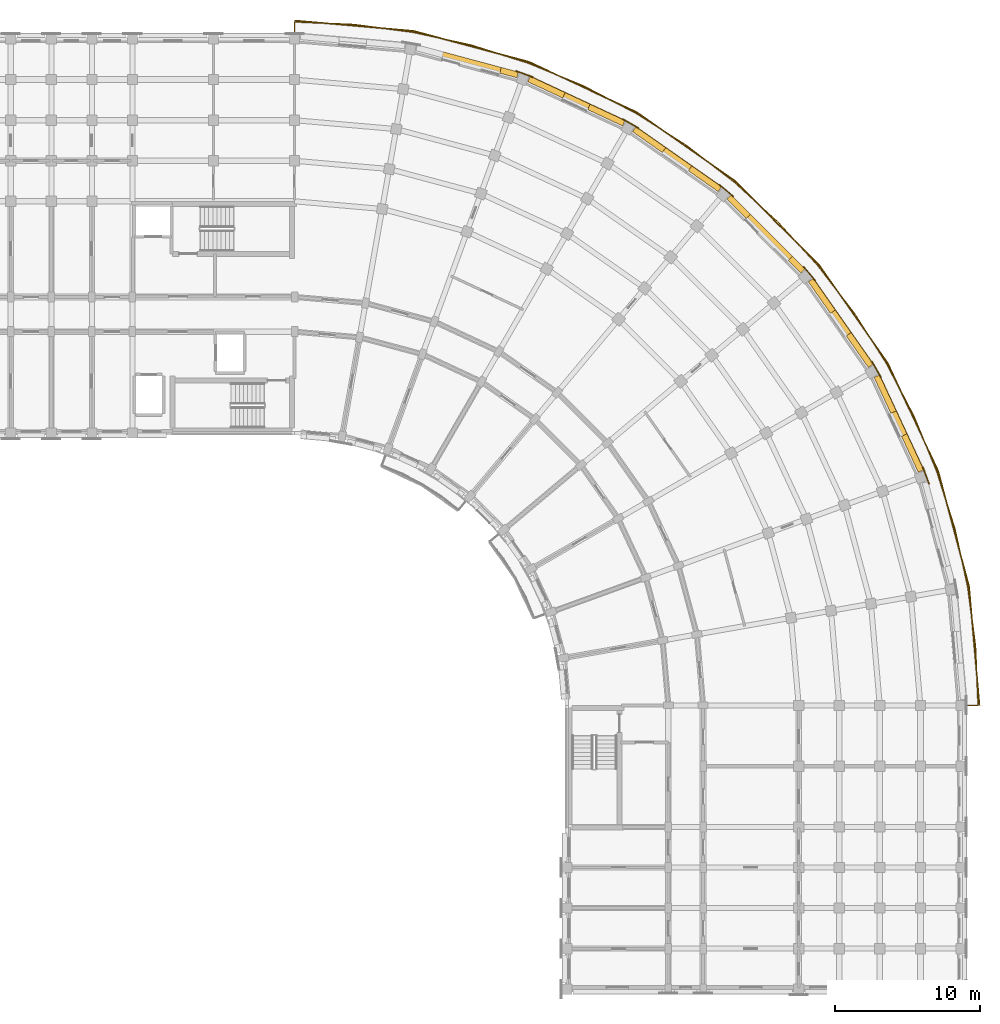
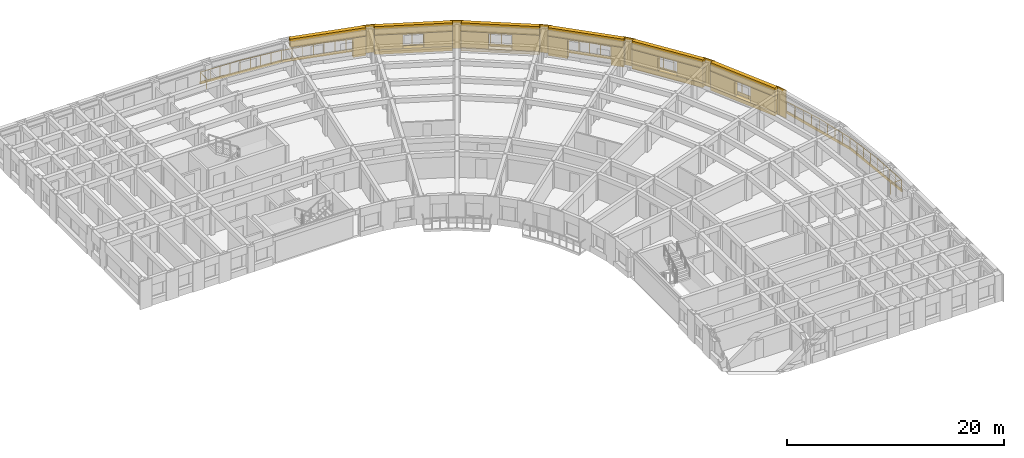
# One storey, part 57 of 57: 28 coverings, 1 railing.
"""IFC4 building model written with IfcOpenShell, lengths in metres."""

import ifcopenshell
import ifcopenshell.guid

model = None  # the IFC model being written
_history = None  # IfcOwnerHistory: only IFC2X3 demands one
_inside = {}  # id of a spatial element -> (the spatial element, [elements in it])
_under = {}  # id of a project, library or spatial element -> (it, [spatial elements below it])
_declared = {}  # id of a project -> (the project, [libraries it declares])
_typed = {}  # id of a type object -> (the type object, [elements of that type])
_made_of = {}  # id of a material, layer set ... -> (it, [elements and type objects made of it])


def new_model(schema):
    """Start an empty IFC model of exactly this schema.

    Asked for "IFC4X3", IfcOpenShell would pick the latest addendum, in which some entities
    have other attributes; the version numbers below select the first issue.
    IFC2X3 requires an IfcOwnerHistory on every rooted entity: one is made here for all.
    """
    global model, _history
    if schema == "IFC4X3":
        model = ifcopenshell.file(schema_version=(4, 3, 0, 0))
    else:
        model = ifcopenshell.file(schema=schema)
    _inside.clear()
    _under.clear()
    _declared.clear()
    _typed.clear()
    _made_of.clear()
    _history = None
    if model.schema == "IFC2X3":
        org = make("IfcOrganization", Name="unknown")
        user = make(
            "IfcPersonAndOrganization",
            ThePerson=make("IfcPerson", FamilyName="unknown"),
            TheOrganization=org,
        )
        app = make(
            "IfcApplication",
            ApplicationDeveloper=org,
            Version="unknown",
            ApplicationFullName="unknown",
            ApplicationIdentifier="unknown",
        )
        _history = make(
            "IfcOwnerHistory",
            OwningUser=user,
            OwningApplication=app,
            ChangeAction="ADDED",
            CreationDate=0,
        )
    return model


def make(cls, **values):
    """One entity of the class cls with the attributes given. An attribute that is None is left unset."""
    return model.create_entity(
        cls, **{name: value for name, value in values.items() if value is not None}
    )


def rooted(cls, **values):
    """An entity with a GlobalId (a new one), such as an element, a storey or a relation."""
    return make(cls, GlobalId=ifcopenshell.guid.new(), OwnerHistory=_history, **values)


def si_unit(unit_type, name, prefix=None):
    """IfcSIUnit, for example si_unit("LENGTHUNIT", "METRE", prefix="MILLI")."""
    return make("IfcSIUnit", UnitType=unit_type, Prefix=prefix, Name=name)


def assignment(units):
    """IfcUnitAssignment: the units of a project."""
    return None if units is None else make("IfcUnitAssignment", Units=units)


def point(xyz):
    """IfcCartesianPoint."""
    return None if xyz is None else make("IfcCartesianPoint", Coordinates=xyz)


def direction(xyz):
    """IfcDirection."""
    return None if xyz is None else make("IfcDirection", DirectionRatios=xyz)


def frame(location, z_axis=None, x_axis=None):
    """IfcAxis2Placement3D, a coordinate frame: its origin and axes. An axis left out is left unset."""
    return make(
        "IfcAxis2Placement3D",
        Location=point(location),
        Axis=direction(z_axis),
        RefDirection=direction(x_axis),
    )


def frame_2d(location, x_axis=None):
    """IfcAxis2Placement2D, a coordinate frame in the plane: its origin and x axis."""
    return make(
        "IfcAxis2Placement2D", Location=point(location), RefDirection=direction(x_axis)
    )


def origin():
    """The frame at (0, 0, 0) with its axes left unset."""
    return frame((0.0, 0.0, 0.0))


def origin_2d():
    """The frame at (0, 0) in the plane with its x axis left unset."""
    return frame_2d((0.0, 0.0))


def place(relative_to, where):
    """IfcLocalPlacement: puts the frame where relative to a parent placement (None: the world)."""
    return make(
        "IfcLocalPlacement", PlacementRelTo=relative_to, RelativePlacement=where
    )


def context(
    kind, dimensions, precision=None, world=None, true_north=None, identifier=None
):
    """IfcGeometricRepresentationContext, for example the 3D "Model" context."""
    return make(
        "IfcGeometricRepresentationContext",
        ContextIdentifier=identifier,
        ContextType=kind,
        CoordinateSpaceDimension=dimensions,
        Precision=precision,
        WorldCoordinateSystem=world,
        TrueNorth=true_north,
    )


def subcontext(parent, identifier, kind, view, scale=None):
    """IfcGeometricRepresentationSubContext, for example "Body" below "Model"."""
    return make(
        "IfcGeometricRepresentationSubContext",
        ContextIdentifier=identifier,
        ContextType=kind,
        ParentContext=parent,
        TargetScale=scale,
        TargetView=view,
    )


def project(units=None, contexts=None):
    """IfcProject with its units and contexts."""
    return rooted(
        "IfcProject",
        Name="project",
        RepresentationContexts=contexts,
        UnitsInContext=assignment(units),
    )


def spatial(cls, under=None, at=None, **own):
    """A site, building, storey or space (cls), placed at a placement, below another one or the project."""
    s = rooted(cls, ObjectPlacement=at, **own)
    if under is not None:
        _under.setdefault(under.id(), (under, []))[1].append(s)
    return s


def polyline(points):
    """IfcPolyline through the points."""
    return make("IfcPolyline", Points=[point(p) for p in points])


def profile(cls, at=None, kind="AREA", **sizes):
    """A parametric profile (cls). Its sizes go by their IFC names, for example OverallWidth=200.0."""
    return make(cls, ProfileType=kind, Position=at, **sizes)


def circle(**sizes):
    """IfcCircleProfileDef."""
    return profile("IfcCircleProfileDef", **sizes)


def outline(outer, holes=None, kind="AREA"):
    """IfcArbitraryClosedProfileDef: a profile drawn as a closed curve; with holes, ...WithVoids."""
    if holes is None:
        return make("IfcArbitraryClosedProfileDef", ProfileType=kind, OuterCurve=outer)
    return make(
        "IfcArbitraryProfileDefWithVoids",
        ProfileType=kind,
        OuterCurve=outer,
        InnerCurves=holes,
    )


def extrude(swept, where, along, depth):
    """IfcExtrudedAreaSolid: the profile swept, set in the frame where, extruded along a direction by depth."""
    return make(
        "IfcExtrudedAreaSolid",
        SweptArea=swept,
        Position=where,
        ExtrudedDirection=direction(along),
        Depth=depth,
    )


def shape(context_of_items, identifier, shape_type, items):
    """IfcShapeRepresentation: the items that make up one representation, for example the "Body"."""
    return make(
        "IfcShapeRepresentation",
        ContextOfItems=context_of_items,
        RepresentationIdentifier=identifier,
        RepresentationType=shape_type,
        Items=items,
    )


def material(Name=None, Category=None):
    """IfcMaterial."""
    return make("IfcMaterial", Name=Name, Category=Category)


def layer(
    of_material, thickness, ventilated=None, Name=None, Category=None, Priority=None
):
    """IfcMaterialLayer: one layer of a wall or slab, of a material (None: an air gap)."""
    return make(
        "IfcMaterialLayer",
        Material=of_material,
        LayerThickness=thickness,
        IsVentilated=ventilated,
        Name=Name,
        Category=Category,
        Priority=Priority,
    )


def layer_set(layers, Name=None):
    """IfcMaterialLayerSet."""
    return make("IfcMaterialLayerSet", MaterialLayers=layers, LayerSetName=Name)


def made_of(thing, what):
    """Note that an element or type object is made of a material, layer set ...; save() writes the relation."""
    if what is not None:
        _made_of.setdefault(what.id(), (what, []))[1].append(thing)
    return thing


def type_object(cls, material=None, **own):
    """A type object (cls), such as IfcWallType, which elements share."""
    return made_of(rooted(cls, **own), material)


def element(
    cls,
    number,
    at=None,
    inside=None,
    cuts=None,
    type_object=None,
    material=None,
    context=None,
    identifier="Body",
    shape_type=None,
    held_by="IfcProductDefinitionShape",
    body=None,
    shapes=None,
    **own,
):
    """One element of the class cls, such as IfcWall. Its Tag is "e" and its number.

    at: its placement. inside: the storey or other place that contains it. cuts: it is an
    opening in that element (IfcRelVoidsElement). A single representation is given by context,
    identifier, shape_type and body (its items); several are given by shapes. held_by: the class
    of the entity that holds the representations. save() writes the other relations.
    """
    e = rooted(cls, Tag="e%d" % number, ObjectPlacement=at, **own)
    if body is not None:
        shapes = [shape(context, identifier, shape_type, body)]
    if shapes is not None:
        e.Representation = make(held_by, Representations=shapes)
    if inside is not None:
        _inside.setdefault(inside.id(), (inside, []))[1].append(e)
    if cuts is not None:
        rooted(
            "IfcRelVoidsElement", RelatingBuildingElement=cuts, RelatedOpeningElement=e
        )
    if type_object is not None:
        _typed.setdefault(type_object.id(), (type_object, []))[1].append(e)
    return made_of(e, material)


def aggregate(whole, parts):
    """IfcRelAggregates: a whole, such as a stair, and the parts it consists of."""
    return rooted("IfcRelAggregates", RelatingObject=whole, RelatedObjects=parts)


def save(model, path):
    """Write the relations noted so far, then the file.

    IfcRelAggregates (storeys below a building ...), IfcRelContainedInSpatialStructure (elements
    in a storey), IfcRelDefinesByType, IfcRelAssociatesMaterial and IfcRelDeclares: one each for
    every whole, place, type object, material and project.
    """
    for whole, parts in _under.values():
        aggregate(whole, parts)
    for where, things in _inside.values():
        rooted(
            "IfcRelContainedInSpatialStructure",
            RelatedElements=things,
            RelatingStructure=where,
        )
    for kind, things in _typed.values():
        rooted("IfcRelDefinesByType", RelatedObjects=things, RelatingType=kind)
    for what, things in _made_of.values():
        rooted("IfcRelAssociatesMaterial", RelatedObjects=things, RelatingMaterial=what)
    for by, libraries in _declared.values():
        rooted("IfcRelDeclares", RelatingContext=by, RelatedDefinitions=libraries)
    model.write(path)


model = new_model("IFC4")

# Units and contexts
model_context = context("Model", 3, precision=1e-05, world=origin(), true_north=direction((0.0, 1.0)))
body_context = subcontext(model_context, "Body", "Model", "MODEL_VIEW")
ifc_project = project(units=[si_unit("LENGTHUNIT", "METRE"), si_unit("AREAUNIT", "SQUARE_METRE"), si_unit("VOLUMEUNIT", "CUBIC_METRE"), si_unit("PLANEANGLEUNIT", "RADIAN"), si_unit("MASSUNIT", "GRAM", prefix="KILO")], contexts=[model_context])

# Site, building, storey
site_placement = place(None, origin())
site = spatial("IfcSite", under=ifc_project, at=site_placement, CompositionType="ELEMENT")
building_placement = place(site_placement, origin())
building = spatial("IfcBuilding", under=site, at=building_placement, Name="Kiranvali Square Residences", CompositionType="ELEMENT")
storey_placement = place(building_placement, frame((0.0, 0.0, 24.449951171875)))
storey = spatial("IfcBuildingStorey", under=building, at=storey_placement, Name="L07", CompositionType="ELEMENT", Elevation=24.449951171875)

# Coverings
ifc_material_1 = material(Name="Carved Porbandar limestone classical entablature and cornice", Category="masonry")
ifc_layer_1 = layer(ifc_material_1, 0.072021484375)
ifc_layer_set_1 = layer_set([ifc_layer_1], Name="Carved Porbandar limestone classical entablature and cornice")
covering_type_1 = type_object("IfcCoveringType", Name="COV-CLAD-BAL", PredefinedType="CLADDING", material=ifc_layer_set_1)
covering_1_placement = place(storey_placement, frame((0.0, 0.0, -0.239990234375)))
element("IfcCovering", 1, at=covering_1_placement, inside=storey, type_object=covering_type_1, Name="Block B L07 continuous curved limestone balcony fascia", PredefinedType="CLADDING", context=body_context, shape_type="SweptSolid", body=[
    extrude(outline(polyline([(119.800048828125, 135.052001953125), (128.005126953125, 134.334228515625), (135.961181640625, 132.202392578125), (143.426025390625, 128.721435546875), (150.173095703125, 123.9970703125), (155.9970703125, 118.173095703125), (160.721435546875, 111.426025390625), (164.202392578125, 103.961181640625), (166.334228515625, 96.005126953125), (167.052001953125, 87.800048828125), (167.117919921875, 87.800048828125), (166.399169921875, 96.0166015625), (164.264404296875, 103.983642578125), (160.778564453125, 111.458984375), (156.047607421875, 118.21533203125), (150.21533203125, 124.047607421875), (143.458984375, 128.778564453125), (135.983642578125, 132.264404296875), (128.0166015625, 134.399169921875), (119.800048828125, 135.117919921875), (119.800048828125, 135.052001953125)])), origin(), (0.0, 0.0, 1.0), 0.300048828125),
])
ifc_material_2 = material(Name="Honed Porbandar limestone ashlar facade cladding", Category="masonry")
ifc_layer_2 = layer(ifc_material_2, 0.3798828125)
ifc_layer_set_2 = layer_set([ifc_layer_2], Name="Honed Porbandar limestone ashlar facade cladding")
covering_type_2 = type_object("IfcCoveringType", Name="COV-CLAD-JAMB", PredefinedType="CLADDING", material=ifc_layer_set_2)
covering_2_placement = place(storey_placement, origin())
element("IfcCovering", 2, at=covering_2_placement, inside=storey, type_object=covering_type_2, Name="L07 deep limestone window jamb reveal B-L07-CRV-01.R", PredefinedType="CLADDING", context=body_context, shape_type="SweptSolid", body=[
    extrude(outline(polyline([(133.961669921875, 131.447265625), (135.146728515625, 131.1298828125), (135.252685546875, 131.525390625), (134.067626953125, 131.843017578125), (133.961669921875, 131.447265625)])), origin(), (0.0, 0.0, 1.0), 2.179931640625),
])
covering_3_placement = place(storey_placement, frame((0.0, 0.0, 0.52197265625)))
element("IfcCovering", 3, at=covering_3_placement, inside=storey, type_object=covering_type_2, Name="L07 deep limestone window jamb reveal B-L07-CRV-02.L", PredefinedType="CLADDING", context=body_context, shape_type="SweptSolid", body=[
    extrude(outline(polyline([(135.895751953125, 130.857177734375), (138.3056640625, 129.7333984375), (138.478759765625, 130.1044921875), (136.068603515625, 131.228515625), (135.895751953125, 130.857177734375)])), origin(), (0.0, 0.0, 1.0), 1.650146484375),
])
covering_4_placement = place(storey_placement, frame((0.0, 0.0, 0.52197265625)))
element("IfcCovering", 4, at=covering_4_placement, inside=storey, type_object=covering_type_2, Name="L07 deep limestone window jamb reveal B-L07-CRV-02.R", PredefinedType="CLADDING", context=body_context, shape_type="SweptSolid", body=[
    extrude(outline(polyline([(140.027587890625, 128.930419921875), (142.437744140625, 127.806640625), (142.61083984375, 128.177734375), (140.20068359375, 129.301513671875), (140.027587890625, 128.930419921875)])), origin(), (0.0, 0.0, 1.0), 1.650146484375),
])
covering_5_placement = place(storey_placement, frame((0.0, 0.0, 0.3720703125)))
element("IfcCovering", 5, at=covering_5_placement, inside=storey, type_object=covering_type_2, Name="L07 deep limestone window jamb reveal B-L07-CRV-03.L", PredefinedType="CLADDING", context=body_context, shape_type="SweptSolid", body=[
    extrude(outline(polyline([(143.1279296875, 127.408203125), (145.183349609375, 125.968994140625), (145.418212890625, 126.304443359375), (143.36279296875, 127.74365234375), (143.1279296875, 127.408203125)])), origin(), (0.0, 0.0, 1.0), 1.800048828125),
])
covering_6_placement = place(storey_placement, frame((0.0, 0.0, 0.3720703125)))
element("IfcCovering", 6, at=covering_6_placement, inside=storey, type_object=covering_type_2, Name="L07 deep limestone window jamb reveal B-L07-CRV-03.R", PredefinedType="CLADDING", context=body_context, shape_type="SweptSolid", body=[
    extrude(outline(polyline([(146.9853515625, 124.70703125), (149.040771484375, 123.267822265625), (149.275634765625, 123.603271484375), (147.220458984375, 125.04248046875), (146.9853515625, 124.70703125)])), origin(), (0.0, 0.0, 1.0), 1.800048828125),
])
covering_7_placement = place(storey_placement, origin())
element("IfcCovering", 7, at=covering_7_placement, inside=storey, type_object=covering_type_2, Name="L07 deep limestone window jamb reveal B-L07-CRV-04.L", PredefinedType="CLADDING", context=body_context, shape_type="SweptSolid", body=[
    extrude(outline(polyline([(149.6513671875, 122.755615234375), (150.978271484375, 121.4287109375), (151.267822265625, 121.71826171875), (149.94091796875, 123.045166015625), (149.6513671875, 122.755615234375)])), origin(), (0.0, 0.0, 1.0), 2.179931640625),
])
covering_8_placement = place(storey_placement, origin())
element("IfcCovering", 8, at=covering_8_placement, inside=storey, type_object=covering_type_2, Name="L07 deep limestone window jamb reveal B-L07-CRV-04.R", PredefinedType="CLADDING", context=body_context, shape_type="SweptSolid", body=[
    extrude(outline(polyline([(153.88818359375, 118.518798828125), (154.755615234375, 117.6513671875), (155.045166015625, 117.94091796875), (154.177734375, 118.808349609375), (153.88818359375, 118.518798828125)])), origin(), (0.0, 0.0, 1.0), 2.179931640625),
])
covering_9_placement = place(storey_placement, frame((0.0, 0.0, 0.52197265625)))
element("IfcCovering", 9, at=covering_9_placement, inside=storey, type_object=covering_type_2, Name="L07 deep limestone window jamb reveal B-L07-CRV-05.L", PredefinedType="CLADDING", context=body_context, shape_type="SweptSolid", body=[
    extrude(outline(polyline([(155.267822265625, 117.040771484375), (156.793212890625, 114.862548828125), (157.128662109375, 115.097412109375), (155.603271484375, 117.275634765625), (155.267822265625, 117.040771484375)])), origin(), (0.0, 0.0, 1.0), 1.650146484375),
])
covering_10_placement = place(storey_placement, frame((0.0, 0.0, 0.52197265625)))
element("IfcCovering", 10, at=covering_10_placement, inside=storey, type_object=covering_type_2, Name="L07 deep limestone window jamb reveal B-L07-CRV-05.R", PredefinedType="CLADDING", context=body_context, shape_type="SweptSolid", body=[
    extrude(outline(polyline([(157.8828125, 113.30615234375), (159.408203125, 111.1279296875), (159.74365234375, 111.36279296875), (158.21826171875, 113.541015625), (157.8828125, 113.30615234375)])), origin(), (0.0, 0.0, 1.0), 1.650146484375),
])
covering_11_placement = place(storey_placement, frame((0.0, 0.0, 0.422119140625)))
element("IfcCovering", 11, at=covering_11_placement, inside=storey, type_object=covering_type_2, Name="L07 deep limestone window jamb reveal B-L07-CRV-06.L", PredefinedType="CLADDING", context=body_context, shape_type="SweptSolid", body=[
    extrude(outline(polyline([(159.806640625, 110.437744140625), (160.962158203125, 107.959716796875), (161.333251953125, 108.1328125), (160.177734375, 110.61083984375), (159.806640625, 110.437744140625)])), origin(), (0.0, 0.0, 1.0), 1.75),
])
covering_12_placement = place(storey_placement, frame((0.0, 0.0, 0.422119140625)))
element("IfcCovering", 12, at=covering_12_placement, inside=storey, type_object=covering_type_2, Name="L07 deep limestone window jamb reveal B-L07-CRV-06.R", PredefinedType="CLADDING", context=body_context, shape_type="SweptSolid", body=[
    extrude(outline(polyline([(161.70166015625, 106.373779296875), (162.857177734375, 103.895751953125), (163.228515625, 104.068603515625), (162.072998046875, 106.546630859375), (161.70166015625, 106.373779296875)])), origin(), (0.0, 0.0, 1.0), 1.75),
])
ifc_layer_3 = layer(ifc_material_2, 0.06494140625)
ifc_layer_set_3 = layer_set([ifc_layer_3], Name="Honed Porbandar limestone ashlar facade cladding")
covering_type_3 = type_object("IfcCoveringType", Name="COV-CLAD-PIER", PredefinedType="CLADDING", material=ifc_layer_set_3)
covering_13_placement = place(storey_placement, frame((0.0, 0.0, 0.005126953125)))
element("IfcCovering", 13, at=covering_13_placement, inside=storey, type_object=covering_type_3, Name="L07 Classical limestone corner pilaster CLAD-PR-B-L07-A02", PredefinedType="CLADDING", context=body_context, shape_type="SweptSolid", body=[
    extrude(outline(polyline([(136.267822265625, 131.203125), (135.083984375, 131.634033203125), (135.060791015625, 131.57080078125), (136.244873046875, 131.1396484375), (136.267822265625, 131.203125)])), origin(), (0.0, 0.0, 1.0), 3.139892578125),
])
covering_14_placement = place(storey_placement, frame((0.0, 0.0, 0.005126953125)))
element("IfcCovering", 14, at=covering_14_placement, inside=storey, type_object=covering_type_3, Name="L07 Classical limestone corner pilaster CLAD-PR-B-L07-A03", PredefinedType="CLADDING", context=body_context, shape_type="SweptSolid", body=[
    extrude(outline(polyline([(143.5546875, 127.68408203125), (142.46337890625, 128.314208984375), (142.4296875, 128.255615234375), (143.520751953125, 127.625732421875), (143.5546875, 127.68408203125)])), origin(), (0.0, 0.0, 1.0), 3.139892578125),
])
covering_15_placement = place(storey_placement, frame((0.0, 0.0, 0.005126953125)))
element("IfcCovering", 15, at=covering_15_placement, inside=storey, type_object=covering_type_3, Name="L07 Classical limestone corner pilaster CLAD-PR-B-L07-A04", PredefinedType="CLADDING", context=body_context, shape_type="SweptSolid", body=[
    extrude(outline(polyline([(150.11962890625, 122.953369140625), (149.154296875, 123.76318359375), (149.11083984375, 123.71142578125), (150.076171875, 122.901611328125), (150.11962890625, 122.953369140625)])), origin(), (0.0, 0.0, 1.0), 3.139892578125),
])
covering_16_placement = place(storey_placement, frame((0.0, 0.0, 0.005126953125)))
element("IfcCovering", 16, at=covering_16_placement, inside=storey, type_object=covering_type_3, Name="L07 Classical limestone corner pilaster CLAD-PR-B-L07-A05", PredefinedType="CLADDING", context=body_context, shape_type="SweptSolid", body=[
    extrude(outline(polyline([(155.76318359375, 117.154296875), (154.953369140625, 118.11962890625), (154.901611328125, 118.076171875), (155.71142578125, 117.11083984375), (155.76318359375, 117.154296875)])), origin(), (0.0, 0.0, 1.0), 3.139892578125),
])
covering_17_placement = place(storey_placement, frame((0.0, 0.0, 0.005126953125)))
element("IfcCovering", 17, at=covering_17_placement, inside=storey, type_object=covering_type_3, Name="L07 Classical limestone corner pilaster CLAD-PR-B-L07-A06", PredefinedType="CLADDING", context=body_context, shape_type="SweptSolid", body=[
    extrude(outline(polyline([(160.314208984375, 110.46337890625), (159.68408203125, 111.5546875), (159.625732421875, 111.520751953125), (160.255615234375, 110.4296875), (160.314208984375, 110.46337890625)])), origin(), (0.0, 0.0, 1.0), 3.139892578125),
])
covering_18_placement = place(storey_placement, frame((0.0, 0.0, 0.005126953125)))
element("IfcCovering", 18, at=covering_18_placement, inside=storey, type_object=covering_type_3, Name="L07 Classical limestone corner pilaster CLAD-PR-B-L07-A07", PredefinedType="CLADDING", context=body_context, shape_type="SweptSolid", body=[
    extrude(outline(polyline([(163.634033203125, 103.083984375), (163.203125, 104.267822265625), (163.1396484375, 104.244873046875), (163.57080078125, 103.060791015625), (163.634033203125, 103.083984375)])), origin(), (0.0, 0.0, 1.0), 3.139892578125),
])
ifc_layer_4 = layer(ifc_material_2, 0.360107421875)
ifc_layer_set_4 = layer_set([ifc_layer_4], Name="Honed Porbandar limestone ashlar facade cladding")
covering_type_4 = type_object("IfcCoveringType", Name="COV-CLAD-WALL", PredefinedType="CLADDING", material=ifc_layer_set_4)
covering_19_placement = place(storey_placement, frame((0.0, 0.0, 2.179931640625)))
element("IfcCovering", 19, at=covering_19_placement, inside=storey, type_object=covering_type_4, Name="L07 light limestone spandrel lintel B-L07-CRV-01", PredefinedType="CLADDING", context=body_context, shape_type="SweptSolid", body=[
    extrude(outline(polyline([(128.17431640625, 132.998046875), (135.146728515625, 131.1298828125), (135.252685546875, 131.525390625), (128.2802734375, 133.3935546875), (128.17431640625, 132.998046875)])), origin(), (0.0, 0.0, 1.0), 0.965087890625),
])
covering_20_placement = place(storey_placement, frame((0.0, 0.0, 2.172119140625)))
element("IfcCovering", 20, at=covering_20_placement, inside=storey, type_object=covering_type_4, Name="L07 light limestone spandrel lintel B-L07-CRV-02", PredefinedType="CLADDING", context=body_context, shape_type="SweptSolid", body=[
    extrude(outline(polyline([(135.895751953125, 130.857177734375), (142.437744140625, 127.806640625), (142.61083984375, 128.177734375), (136.068603515625, 131.228515625), (135.895751953125, 130.857177734375)])), origin(), (0.0, 0.0, 1.0), 0.972900390625),
])
covering_21_placement = place(storey_placement, frame((0.0, 0.0, 0.005126953125)))
element("IfcCovering", 21, at=covering_21_placement, inside=storey, type_object=covering_type_4, Name="L07 limestone window sill apron B-L07-CRV-02", PredefinedType="CLADDING", context=body_context, shape_type="SweptSolid", body=[
    extrude(outline(polyline([(135.895751953125, 130.857177734375), (142.437744140625, 127.806640625), (142.62353515625, 128.205078125), (136.081298828125, 131.255615234375), (135.895751953125, 130.857177734375)])), origin(), (0.0, 0.0, 1.0), 0.516845703125),
])
covering_22_placement = place(storey_placement, frame((0.0, 0.0, 2.172119140625)))
element("IfcCovering", 22, at=covering_22_placement, inside=storey, type_object=covering_type_4, Name="L07 light limestone spandrel lintel B-L07-CRV-03", PredefinedType="CLADDING", context=body_context, shape_type="SweptSolid", body=[
    extrude(outline(polyline([(143.1279296875, 127.408203125), (149.040771484375, 123.267822265625), (149.275634765625, 123.603271484375), (143.36279296875, 127.74365234375), (143.1279296875, 127.408203125)])), origin(), (0.0, 0.0, 1.0), 0.972900390625),
])
covering_23_placement = place(storey_placement, frame((0.0, 0.0, 0.005126953125)))
element("IfcCovering", 23, at=covering_23_placement, inside=storey, type_object=covering_type_4, Name="L07 limestone window sill apron B-L07-CRV-03", PredefinedType="CLADDING", context=body_context, shape_type="SweptSolid", body=[
    extrude(outline(polyline([(143.1279296875, 127.408203125), (149.040771484375, 123.267822265625), (149.29296875, 123.6279296875), (143.380126953125, 127.76806640625), (143.1279296875, 127.408203125)])), origin(), (0.0, 0.0, 1.0), 0.366943359375),
])
covering_24_placement = place(storey_placement, frame((0.0, 0.0, 2.179931640625)))
element("IfcCovering", 24, at=covering_24_placement, inside=storey, type_object=covering_type_4, Name="L07 light limestone spandrel lintel B-L07-CRV-04", PredefinedType="CLADDING", context=body_context, shape_type="SweptSolid", body=[
    extrude(outline(polyline([(149.6513671875, 122.755615234375), (154.755615234375, 117.6513671875), (155.045166015625, 117.94091796875), (149.94091796875, 123.045166015625), (149.6513671875, 122.755615234375)])), origin(), (0.0, 0.0, 1.0), 0.965087890625),
])
covering_25_placement = place(storey_placement, frame((0.0, 0.0, 2.172119140625)))
element("IfcCovering", 25, at=covering_25_placement, inside=storey, type_object=covering_type_4, Name="L07 light limestone spandrel lintel B-L07-CRV-05", PredefinedType="CLADDING", context=body_context, shape_type="SweptSolid", body=[
    extrude(outline(polyline([(155.267822265625, 117.040771484375), (159.408203125, 111.1279296875), (159.74365234375, 111.36279296875), (155.603271484375, 117.275634765625), (155.267822265625, 117.040771484375)])), origin(), (0.0, 0.0, 1.0), 0.972900390625),
])
covering_26_placement = place(storey_placement, frame((0.0, 0.0, 0.005126953125)))
element("IfcCovering", 26, at=covering_26_placement, inside=storey, type_object=covering_type_4, Name="L07 limestone window sill apron B-L07-CRV-05", PredefinedType="CLADDING", context=body_context, shape_type="SweptSolid", body=[
    extrude(outline(polyline([(155.267822265625, 117.040771484375), (159.408203125, 111.1279296875), (159.76806640625, 111.380126953125), (155.6279296875, 117.29296875), (155.267822265625, 117.040771484375)])), origin(), (0.0, 0.0, 1.0), 0.516845703125),
])
covering_27_placement = place(storey_placement, frame((0.0, 0.0, 2.172119140625)))
element("IfcCovering", 27, at=covering_27_placement, inside=storey, type_object=covering_type_4, Name="L07 light limestone spandrel lintel B-L07-CRV-06", PredefinedType="CLADDING", context=body_context, shape_type="SweptSolid", body=[
    extrude(outline(polyline([(159.806640625, 110.437744140625), (162.857177734375, 103.895751953125), (163.228515625, 104.068603515625), (160.177734375, 110.61083984375), (159.806640625, 110.437744140625)])), origin(), (0.0, 0.0, 1.0), 0.972900390625),
])
covering_28_placement = place(storey_placement, frame((0.0, 0.0, 0.005126953125)))
element("IfcCovering", 28, at=covering_28_placement, inside=storey, type_object=covering_type_4, Name="L07 limestone window sill apron B-L07-CRV-06", PredefinedType="CLADDING", context=body_context, shape_type="SweptSolid", body=[
    extrude(outline(polyline([(159.806640625, 110.437744140625), (162.857177734375, 103.895751953125), (163.255615234375, 104.081298828125), (160.205078125, 110.62353515625), (159.806640625, 110.437744140625)])), origin(), (0.0, 0.0, 1.0), 0.4169921875),
])

# Railing
ifc_material_3 = material(Name="Powder-coated architectural bronze balustrade", Category="steel")
railing_type = type_object("IfcRailingType", Name="RL-BAL-GOLD-1200", PredefinedType="BALUSTRADE", material=ifc_material_3)
railing_placement = place(storey_placement, frame((119.800048828125, 133.840087890625, 0.0)))
element("IfcRailing", 29, at=railing_placement, inside=storey, type_object=railing_type, Name="Block B L07 continuous curved corner gold balustrade", PredefinedType="BALUSTRADE", context=body_context, shape_type="SweptSolid", body=[
    extrude(circle(Radius=0.02392578125, at=origin_2d()), frame((0.0, 0.0, 1.17578125), z_axis=(0.0, 1.0, 0.0), x_axis=(-1.0, 0.0, 0.0)), (0.0, 0.0, 1.0), 1.14990234375),
    extrude(circle(Radius=0.02392578125, at=origin_2d()), frame((0.0, 1.14990234375, 1.17578125), z_axis=(0.999049544955, -0.043589066576, 0.0), x_axis=(0.043589066576, 0.999049544955, 0.0)), (0.0, 0.0, 1.0), 4.11669921875),
    extrude(circle(Radius=0.02392578125, at=origin_2d()), frame((4.11279296875, 0.970458984375, 1.17578125), z_axis=(0.991444603928, -0.1305281477, 0.0), x_axis=(0.1305281477, 0.991444603928, 0.0)), (0.0, 0.0, 1.0), 4.11669921875),
    extrude(circle(Radius=0.02392578125, at=origin_2d()), frame((8.1943359375, 0.43310546875, 1.17578125), z_axis=(0.976292989924, -0.216453223181, 0.0), x_axis=(0.216453223181, 0.976292989924, 0.0)), (0.0, 0.0, 1.0), 4.116943359375),
    extrude(circle(Radius=0.02392578125, at=origin_2d()), frame((12.213623046875, -0.4580078125, 1.17578125), z_axis=(0.953710744932, -0.300725481131, 0.0), x_axis=(0.300725481131, 0.953710744932, 0.0)), (0.0, 0.0, 1.0), 4.116943359375),
    extrude(circle(Radius=0.02392578125, at=origin_2d()), frame((16.139892578125, -1.696044921875, 1.17578125), z_axis=(0.923880226262, -0.382681757498, 0.0), x_axis=(0.382681757498, 0.923880226262, 0.0)), (0.0, 0.0, 1.0), 4.116943359375),
    extrude(circle(Radius=0.02392578125, at=origin_2d()), frame((19.943359375, -3.271484375, 1.17578125), z_axis=(0.887013781313, -0.461742949877, 0.0), x_axis=(0.461742949877, 0.887013781313, 0.0)), (0.0, 0.0, 1.0), 4.11669921875),
    extrude(circle(Radius=0.02392578125, at=origin_2d()), frame((23.594970703125, -5.17236328125, 1.17578125), z_axis=(0.843402550976, -0.537282176335, 0.0), x_axis=(0.537282176335, 0.843402550976, 0.0)), (0.0, 0.0, 1.0), 4.116943359375),
    extrude(circle(Radius=0.02392578125, at=origin_2d()), frame((27.067138671875, -7.38427734375, 1.17578125), z_axis=(0.793339967331, -0.608778856594, 0.0), x_axis=(0.608778856594, 0.793339967331, 0.0)), (0.0, 0.0, 1.0), 4.11669921875),
    extrude(circle(Radius=0.02392578125, at=origin_2d()), frame((30.3330078125, -9.890380859375, 1.17578125), z_axis=(0.737299356654, -0.675566176386, 0.0), x_axis=(0.675566176386, 0.737299356654, 0.0)), (0.0, 0.0, 1.0), 4.116943359375),
    extrude(circle(Radius=0.02392578125, at=origin_2d()), frame((33.368408203125, -12.671630859375, 1.17578125), z_axis=(0.675566176386, -0.737299356654, 0.0), x_axis=(0.737299356654, 0.675566176386, 0.0)), (0.0, 0.0, 1.0), 4.116943359375),
    extrude(circle(Radius=0.02392578125, at=origin_2d()), frame((36.149658203125, -15.70703125, 1.17578125), z_axis=(0.608778856594, -0.793339967331, 0.0), x_axis=(0.793339967331, 0.608778856594, 0.0)), (0.0, 0.0, 1.0), 4.11669921875),
    extrude(circle(Radius=0.02392578125, at=origin_2d()), frame((38.65576171875, -18.972900390625, 1.17578125), z_axis=(0.537282176335, -0.843402550976, 0.0), x_axis=(0.843402550976, 0.537282176335, 0.0)), (0.0, 0.0, 1.0), 4.116943359375),
    extrude(circle(Radius=0.02392578125, at=origin_2d()), frame((40.86767578125, -22.445068359375, 1.17578125), z_axis=(0.461742949877, -0.887013781313, 0.0), x_axis=(0.887013781313, 0.461742949877, 0.0)), (0.0, 0.0, 1.0), 4.11669921875),
    extrude(circle(Radius=0.02392578125, at=origin_2d()), frame((42.7685546875, -26.0966796875, 1.17578125), z_axis=(0.382681757498, -0.923880226262, 0.0), x_axis=(0.923880226262, 0.382681757498, 0.0)), (0.0, 0.0, 1.0), 4.116943359375),
    extrude(circle(Radius=0.02392578125, at=origin_2d()), frame((44.343994140625, -29.900146484375, 1.17578125), z_axis=(0.300725481131, -0.953710744932, 0.0), x_axis=(0.953710744932, 0.300725481131, 0.0)), (0.0, 0.0, 1.0), 4.116943359375),
    extrude(circle(Radius=0.02392578125, at=origin_2d()), frame((45.58203125, -33.826416015625, 1.17578125), z_axis=(0.216453223181, -0.976292989924, 0.0), x_axis=(0.976292989924, 0.216453223181, 0.0)), (0.0, 0.0, 1.0), 4.116943359375),
    extrude(circle(Radius=0.02392578125, at=origin_2d()), frame((46.47314453125, -37.845703125, 1.17578125), z_axis=(0.1305281477, -0.991444603928, 0.0), x_axis=(0.991444603928, 0.1305281477, 0.0)), (0.0, 0.0, 1.0), 4.11669921875),
    extrude(circle(Radius=0.02392578125, at=origin_2d()), frame((47.010498046875, -41.92724609375, 1.17578125), z_axis=(0.043589066576, -0.999049544955, 0.0), x_axis=(0.999049544955, 0.043589066576, 0.0)), (0.0, 0.0, 1.0), 4.11669921875),
    extrude(circle(Radius=0.02392578125, at=origin_2d()), frame((47.18994140625, -46.0400390625, 1.17578125), z_axis=(-1.0, 0.0, 0.0), x_axis=(0.0, -1.0, 0.0)), (0.0, 0.0, 1.0), 1.14990234375),
    extrude(circle(Radius=0.02099609375, at=origin_2d()), origin(), (0.0, 0.0, 1.0), 1.15185546875),
    extrude(circle(Radius=0.02099609375, at=origin_2d()), frame((0.0, 1.14990234375, 0.0)), (0.0, 0.0, 1.0), 1.15185546875),
    extrude(circle(Radius=0.02099609375, at=origin_2d()), frame((1.0283203125, 1.10498046875, 0.0)), (0.0, 0.0, 1.0), 1.15185546875),
    extrude(circle(Radius=0.02099609375, at=origin_2d()), frame((2.056396484375, 1.06005859375, 0.0)), (0.0, 0.0, 1.0), 1.15185546875),
    extrude(circle(Radius=0.02099609375, at=origin_2d()), frame((3.08447265625, 1.015380859375, 0.0)), (0.0, 0.0, 1.0), 1.15185546875),
    extrude(circle(Radius=0.02099609375, at=origin_2d()), frame((4.11279296875, 0.970458984375, 0.0)), (0.0, 0.0, 1.0), 1.15185546875),
    extrude(circle(Radius=0.02099609375, at=origin_2d()), frame((5.13330078125, 0.836181640625, 0.0)), (0.0, 0.0, 1.0), 1.15185546875),
    extrude(circle(Radius=0.02099609375, at=origin_2d()), frame((6.153564453125, 0.70166015625, 0.0)), (0.0, 0.0, 1.0), 1.15185546875),
    extrude(circle(Radius=0.02099609375, at=origin_2d()), frame((7.173828125, 0.5673828125, 0.0)), (0.0, 0.0, 1.0), 1.15185546875),
    extrude(circle(Radius=0.02099609375, at=origin_2d()), frame((8.1943359375, 0.43310546875, 0.0)), (0.0, 0.0, 1.0), 1.15185546875),
    extrude(circle(Radius=0.02099609375, at=origin_2d()), frame((9.19921875, 0.21044921875, 0.0)), (0.0, 0.0, 1.0), 1.15185546875),
    extrude(circle(Radius=0.02099609375, at=origin_2d()), frame((10.2041015625, -0.012451171875, 0.0)), (0.0, 0.0, 1.0), 1.15185546875),
    extrude(circle(Radius=0.02099609375, at=origin_2d()), frame((11.208740234375, -0.2353515625, 0.0)), (0.0, 0.0, 1.0), 1.15185546875),
    extrude(circle(Radius=0.02099609375, at=origin_2d()), frame((12.213623046875, -0.4580078125, 0.0)), (0.0, 0.0, 1.0), 1.15185546875),
    extrude(circle(Radius=0.02099609375, at=origin_2d()), frame((13.1953125, -0.767578125, 0.0)), (0.0, 0.0, 1.0), 1.15185546875),
    extrude(circle(Radius=0.02099609375, at=origin_2d()), frame((14.1767578125, -1.0771484375, 0.0)), (0.0, 0.0, 1.0), 1.15185546875),
    extrude(circle(Radius=0.02099609375, at=origin_2d()), frame((15.158203125, -1.386474609375, 0.0)), (0.0, 0.0, 1.0), 1.15185546875),
    extrude(circle(Radius=0.02099609375, at=origin_2d()), frame((16.139892578125, -1.696044921875, 0.0)), (0.0, 0.0, 1.0), 1.15185546875),
    extrude(circle(Radius=0.02099609375, at=origin_2d()), frame((17.0908203125, -2.08984375, 0.0)), (0.0, 0.0, 1.0), 1.15185546875),
    extrude(circle(Radius=0.02099609375, at=origin_2d()), frame((18.04150390625, -2.48388671875, 0.0)), (0.0, 0.0, 1.0), 1.15185546875),
    extrude(circle(Radius=0.02099609375, at=origin_2d()), frame((18.992431640625, -2.877685546875, 0.0)), (0.0, 0.0, 1.0), 1.15185546875),
    extrude(circle(Radius=0.02099609375, at=origin_2d()), frame((19.943359375, -3.271484375, 0.0)), (0.0, 0.0, 1.0), 1.15185546875),
    extrude(circle(Radius=0.02099609375, at=origin_2d()), frame((20.856201171875, -3.74658203125, 0.0)), (0.0, 0.0, 1.0), 1.15185546875),
    extrude(circle(Radius=0.02099609375, at=origin_2d()), frame((21.76904296875, -4.221923828125, 0.0)), (0.0, 0.0, 1.0), 1.15185546875),
    extrude(circle(Radius=0.02099609375, at=origin_2d()), frame((22.68212890625, -4.697265625, 0.0)), (0.0, 0.0, 1.0), 1.15185546875),
    extrude(circle(Radius=0.02099609375, at=origin_2d()), frame((23.594970703125, -5.17236328125, 0.0)), (0.0, 0.0, 1.0), 1.15185546875),
    extrude(circle(Radius=0.02099609375, at=origin_2d()), frame((24.462890625, -5.725341796875, 0.0)), (0.0, 0.0, 1.0), 1.15185546875),
    extrude(circle(Radius=0.02099609375, at=origin_2d()), frame((25.3310546875, -6.2783203125, 0.0)), (0.0, 0.0, 1.0), 1.15185546875),
    extrude(circle(Radius=0.02099609375, at=origin_2d()), frame((26.19921875, -6.831298828125, 0.0)), (0.0, 0.0, 1.0), 1.15185546875),
    extrude(circle(Radius=0.02099609375, at=origin_2d()), frame((27.067138671875, -7.38427734375, 0.0)), (0.0, 0.0, 1.0), 1.15185546875),
    extrude(circle(Radius=0.02099609375, at=origin_2d()), frame((27.883544921875, -8.0107421875, 0.0)), (0.0, 0.0, 1.0), 1.15185546875),
    extrude(circle(Radius=0.02099609375, at=origin_2d()), frame((28.7001953125, -8.63720703125, 0.0)), (0.0, 0.0, 1.0), 1.15185546875),
    extrude(circle(Radius=0.02099609375, at=origin_2d()), frame((29.5166015625, -9.263916015625, 0.0)), (0.0, 0.0, 1.0), 1.15185546875),
    extrude(circle(Radius=0.02099609375, at=origin_2d()), frame((30.3330078125, -9.890380859375, 0.0)), (0.0, 0.0, 1.0), 1.15185546875),
    extrude(circle(Radius=0.02099609375, at=origin_2d()), frame((31.091796875, -10.585693359375, 0.0)), (0.0, 0.0, 1.0), 1.15185546875),
    extrude(circle(Radius=0.02099609375, at=origin_2d()), frame((31.8505859375, -11.281005859375, 0.0)), (0.0, 0.0, 1.0), 1.15185546875),
    extrude(circle(Radius=0.02099609375, at=origin_2d()), frame((32.609619140625, -11.976318359375, 0.0)), (0.0, 0.0, 1.0), 1.15185546875),
    extrude(circle(Radius=0.02099609375, at=origin_2d()), frame((33.368408203125, -12.671630859375, 0.0)), (0.0, 0.0, 1.0), 1.15185546875),
    extrude(circle(Radius=0.02099609375, at=origin_2d()), frame((34.063720703125, -13.430419921875, 0.0)), (0.0, 0.0, 1.0), 1.15185546875),
    extrude(circle(Radius=0.02099609375, at=origin_2d()), frame((34.759033203125, -14.189453125, 0.0)), (0.0, 0.0, 1.0), 1.15185546875),
    extrude(circle(Radius=0.02099609375, at=origin_2d()), frame((35.454345703125, -14.9482421875, 0.0)), (0.0, 0.0, 1.0), 1.15185546875),
    extrude(circle(Radius=0.02099609375, at=origin_2d()), frame((36.149658203125, -15.70703125, 0.0)), (0.0, 0.0, 1.0), 1.15185546875),
    extrude(circle(Radius=0.02099609375, at=origin_2d()), frame((36.776123046875, -16.5234375, 0.0)), (0.0, 0.0, 1.0), 1.15185546875),
    extrude(circle(Radius=0.02099609375, at=origin_2d()), frame((37.40283203125, -17.33984375, 0.0)), (0.0, 0.0, 1.0), 1.15185546875),
    extrude(circle(Radius=0.02099609375, at=origin_2d()), frame((38.029296875, -18.156494140625, 0.0)), (0.0, 0.0, 1.0), 1.15185546875),
    extrude(circle(Radius=0.02099609375, at=origin_2d()), frame((38.65576171875, -18.972900390625, 0.0)), (0.0, 0.0, 1.0), 1.15185546875),
    extrude(circle(Radius=0.02099609375, at=origin_2d()), frame((39.208740234375, -19.8408203125, 0.0)), (0.0, 0.0, 1.0), 1.15185546875),
    extrude(circle(Radius=0.02099609375, at=origin_2d()), frame((39.76171875, -20.708984375, 0.0)), (0.0, 0.0, 1.0), 1.15185546875),
    extrude(circle(Radius=0.02099609375, at=origin_2d()), frame((40.314697265625, -21.5771484375, 0.0)), (0.0, 0.0, 1.0), 1.15185546875),
    extrude(circle(Radius=0.02099609375, at=origin_2d()), frame((40.86767578125, -22.445068359375, 0.0)), (0.0, 0.0, 1.0), 1.15185546875),
    extrude(circle(Radius=0.02099609375, at=origin_2d()), frame((41.3427734375, -23.35791015625, 0.0)), (0.0, 0.0, 1.0), 1.15185546875),
    extrude(circle(Radius=0.02099609375, at=origin_2d()), frame((41.818115234375, -24.27099609375, 0.0)), (0.0, 0.0, 1.0), 1.15185546875),
    extrude(circle(Radius=0.02099609375, at=origin_2d()), frame((42.29345703125, -25.183837890625, 0.0)), (0.0, 0.0, 1.0), 1.15185546875),
    extrude(circle(Radius=0.02099609375, at=origin_2d()), frame((42.7685546875, -26.0966796875, 0.0)), (0.0, 0.0, 1.0), 1.15185546875),
    extrude(circle(Radius=0.02099609375, at=origin_2d()), frame((43.162353515625, -27.047607421875, 0.0)), (0.0, 0.0, 1.0), 1.15185546875),
    extrude(circle(Radius=0.02099609375, at=origin_2d()), frame((43.55615234375, -27.99853515625, 0.0)), (0.0, 0.0, 1.0), 1.15185546875),
    extrude(circle(Radius=0.02099609375, at=origin_2d()), frame((43.9501953125, -28.94921875, 0.0)), (0.0, 0.0, 1.0), 1.15185546875),
    extrude(circle(Radius=0.02099609375, at=origin_2d()), frame((44.343994140625, -29.900146484375, 0.0)), (0.0, 0.0, 1.0), 1.15185546875),
    extrude(circle(Radius=0.02099609375, at=origin_2d()), frame((44.653564453125, -30.8818359375, 0.0)), (0.0, 0.0, 1.0), 1.15185546875),
    extrude(circle(Radius=0.02099609375, at=origin_2d()), frame((44.962890625, -31.86328125, 0.0)), (0.0, 0.0, 1.0), 1.15185546875),
    extrude(circle(Radius=0.02099609375, at=origin_2d()), frame((45.2724609375, -32.8447265625, 0.0)), (0.0, 0.0, 1.0), 1.15185546875),
    extrude(circle(Radius=0.02099609375, at=origin_2d()), frame((45.58203125, -33.826416015625, 0.0)), (0.0, 0.0, 1.0), 1.15185546875),
    extrude(circle(Radius=0.02099609375, at=origin_2d()), frame((45.8046875, -34.831298828125, 0.0)), (0.0, 0.0, 1.0), 1.15185546875),
    extrude(circle(Radius=0.02099609375, at=origin_2d()), frame((46.027587890625, -35.8359375, 0.0)), (0.0, 0.0, 1.0), 1.15185546875),
    extrude(circle(Radius=0.02099609375, at=origin_2d()), frame((46.25048828125, -36.8408203125, 0.0)), (0.0, 0.0, 1.0), 1.15185546875),
    extrude(circle(Radius=0.02099609375, at=origin_2d()), frame((46.47314453125, -37.845703125, 0.0)), (0.0, 0.0, 1.0), 1.15185546875),
    extrude(circle(Radius=0.02099609375, at=origin_2d()), frame((46.607421875, -38.8662109375, 0.0)), (0.0, 0.0, 1.0), 1.15185546875),
    extrude(circle(Radius=0.02099609375, at=origin_2d()), frame((46.74169921875, -39.886474609375, 0.0)), (0.0, 0.0, 1.0), 1.15185546875),
    extrude(circle(Radius=0.02099609375, at=origin_2d()), frame((46.876220703125, -40.90673828125, 0.0)), (0.0, 0.0, 1.0), 1.15185546875),
    extrude(circle(Radius=0.02099609375, at=origin_2d()), frame((47.010498046875, -41.92724609375, 0.0)), (0.0, 0.0, 1.0), 1.15185546875),
    extrude(circle(Radius=0.02099609375, at=origin_2d()), frame((47.055419921875, -42.95556640625, 0.0)), (0.0, 0.0, 1.0), 1.15185546875),
    extrude(circle(Radius=0.02099609375, at=origin_2d()), frame((47.10009765625, -43.983642578125, 0.0)), (0.0, 0.0, 1.0), 1.15185546875),
    extrude(circle(Radius=0.02099609375, at=origin_2d()), frame((47.14501953125, -45.01171875, 0.0)), (0.0, 0.0, 1.0), 1.15185546875),
    extrude(circle(Radius=0.02099609375, at=origin_2d()), frame((47.18994140625, -46.0400390625, 0.0)), (0.0, 0.0, 1.0), 1.15185546875),
    extrude(circle(Radius=0.02099609375, at=origin_2d()), frame((46.0400390625, -46.0400390625, 0.0)), (0.0, 0.0, 1.0), 1.15185546875),
])

save(model, "model.ifc")
